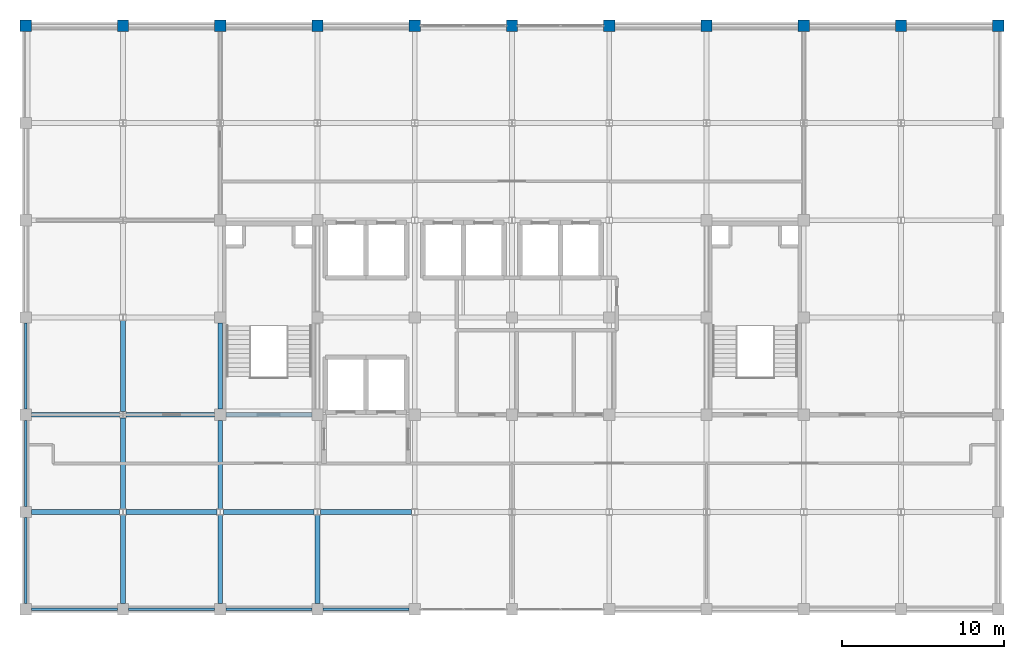
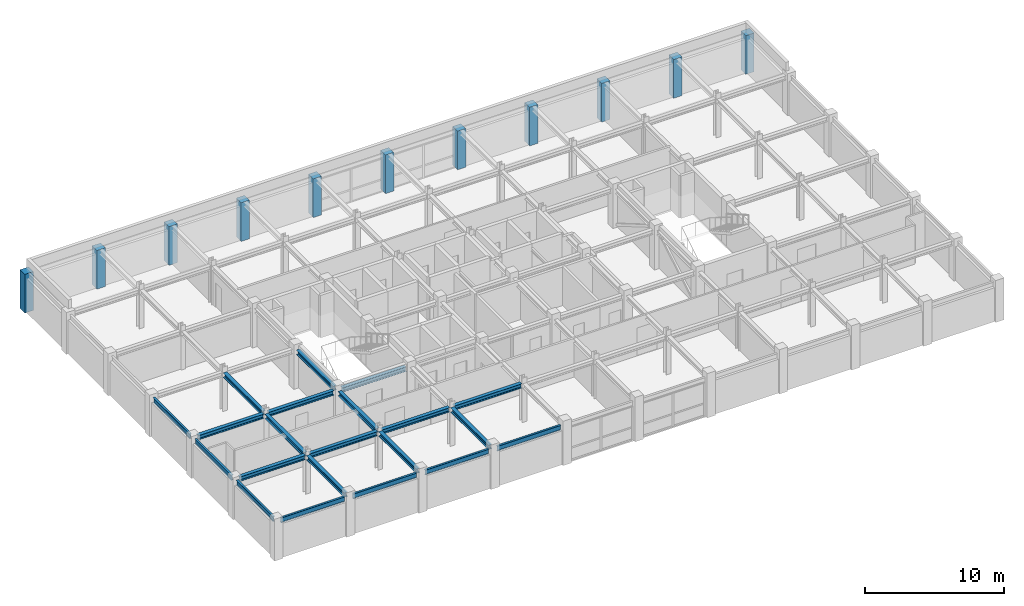
# One storey, part 3 of 12: 21 beams, 11 columns.
"""IFC4 building model written with IfcOpenShell, lengths in metres."""

from ifc_helpers import new_model, si_unit, direction, frame, origin, origin_2d, place, context, subcontext, project, spatial, rectangle, i_section, extrude, material, material_profile, profile_set, type_object, element, save


model = new_model("IFC4")

# Units and contexts
model_context = context("Model", 3, precision=1e-05, world=origin(), true_north=direction((0.0, 1.0)))
body_context = subcontext(model_context, "Body", "Model", "MODEL_VIEW")
ifc_project = project(units=[si_unit("LENGTHUNIT", "METRE"), si_unit("AREAUNIT", "SQUARE_METRE"), si_unit("VOLUMEUNIT", "CUBIC_METRE"), si_unit("PLANEANGLEUNIT", "RADIAN"), si_unit("MASSUNIT", "GRAM", prefix="KILO")], contexts=[model_context])

# Site, building, storey
site_placement = place(None, origin())
site = spatial("IfcSite", under=ifc_project, at=site_placement, CompositionType="ELEMENT")
building_placement = place(site_placement, origin())
building = spatial("IfcBuilding", under=site, at=building_placement, Name="Zlatovratsky Civic Hall", CompositionType="ELEMENT")
storey_placement = place(building_placement, frame((0.0, 0.0, 32.699951171875)))
storey = spatial("IfcBuildingStorey", under=building, at=storey_placement, Name="L08", CompositionType="ELEMENT", Elevation=32.699951171875)

# Columns
ifc_material_1 = material(Name="Concrete C35/45 (B40)", Category="concrete")
ifc_material_profile_1 = material_profile(ifc_material_1, rectangle(XDim=0.699951171875, YDim=0.699951171875, at=origin_2d()), Name="RC 700x700")
ifc_profile_set_1 = profile_set([ifc_material_profile_1], Name="Concrete C35/45 (B40)")
column_type = type_object("IfcColumnType", Name="Col_CorePier_RC700", PredefinedType="COLUMN", material=ifc_profile_set_1)
for number, where, z_axis, x_axis, name in (
    (1, (54.0, 108.0, 0.0), (0.0, 0.0, 1.0), (1.0, 0.0, 0.0), "CL-2238"),
    (2, (60.0, 108.0, 0.0), (0.0, 0.0, 1.0), (1.0, 0.0, 0.0), "CL-2239"),
    (3, (66.0, 108.0, 0.0), (0.0, 0.0, 1.0), (1.0, 0.0, 0.0), "CL-2240"),
    (4, (72.0, 108.0, 0.0), (0.0, 0.0, 1.0), (1.0, 0.0, 0.0), "CL-2241"),
    (5, (78.0, 108.0, 0.0), (0.0, 0.0, 1.0), (1.0, 0.0, 0.0), "CL-2242"),
    (6, (84.0, 108.0, 0.0), (0.0, 0.0, 1.0), (1.0, 0.0, 0.0), "CL-2243"),
    (7, (90.0, 108.0, 0.0), (0.0, 0.0, 1.0), (1.0, 0.0, 0.0), "CL-2244"),
    (8, (96.0, 108.0, 0.0), (0.0, 0.0, 1.0), (1.0, 0.0, 0.0), "CL-2245"),
    (9, (102.0, 108.0, 0.0), (0.0, 0.0, 1.0), (1.0, 0.0, 0.0), "CL-2246"),
    (10, (108.0, 108.0, 0.0), (0.0, 0.0, 1.0), (1.0, 0.0, 0.0), "CL-2247"),
    (11, (114.0, 108.0, 0.0), (0.0, 0.0, 1.0), (1.0, 0.0, 0.0), "CL-2248"),
):
    element("IfcColumn", number, at=place(storey_placement, frame(where, z_axis=z_axis, x_axis=x_axis)), inside=storey, type_object=column_type, Name=name, PredefinedType="COLUMN", context=body_context, shape_type="SweptSolid", body=[
        extrude(rectangle(XDim=0.699951171875, YDim=0.699951171875, at=origin_2d()), origin(), (0.0, 0.0, 1.0), 3.400146484375),
    ])

# Beams
ifc_material_2 = material(Name="Steel S355", Category="steel")
ifc_material_profile_2 = material_profile(ifc_material_2, i_section(OverallWidth=0.169921875, OverallDepth=0.446044921875, WebThickness=0.007568359375, FlangeThickness=0.010986328125, FilletRadius=0.01611328125, at=origin_2d()), Name="45B1")
ifc_profile_set_2 = profile_set([ifc_material_profile_2], Name="Steel S355")
beam_type_1 = type_object("IfcBeamType", Name="Beam_Spandrel_45B1", PredefinedType="SPANDREL", material=ifc_profile_set_2)
for number, where, z_axis, x_axis, name in (
    (12, (54.35009765625, 72.0, 3.177001953125), (1.0, 0.0, 0.0), (0.0, 1.0, 0.0), "BM-4381"),
    (13, (60.35009765625, 72.0, 3.177001953125), (1.0, 0.0, 0.0), (0.0, 1.0, 0.0), "BM-4382"),
    (14, (66.35009765625, 72.0, 3.177001953125), (1.0, 0.0, 0.0), (0.0, 1.0, 0.0), "BM-4383"),
    (15, (72.35009765625, 72.0, 3.177001953125), (1.0, 0.0, 0.0), (0.0, 1.0, 0.0), "BM-4384"),
    (16, (54.0, 72.35009765625, 3.177001953125), (0.0, 1.0, 0.0), (-1.0, 0.0, 0.0), "BM-4449"),
    (17, (54.0, 78.35009765625, 3.177001953125), (0.0, 1.0, 0.0), (-1.0, 0.0, 0.0), "BM-4450"),
    (18, (54.0, 84.35009765625, 3.177001953125), (0.0, 1.0, 0.0), (-1.0, 0.0, 0.0), "BM-4451"),
):
    element("IfcBeam", number, at=place(storey_placement, frame(where, z_axis=z_axis, x_axis=x_axis)), inside=storey, type_object=beam_type_1, Name=name, PredefinedType="SPANDREL", context=body_context, shape_type="SweptSolid", body=[
        extrude(i_section(OverallWidth=0.169921875, OverallDepth=0.446044921875, WebThickness=0.007568359375, FlangeThickness=0.010986328125, FilletRadius=0.01611328125, at=origin_2d()), origin(), (0.0, 0.0, 1.0), 5.2998046875),
    ])
ifc_material_profile_3 = material_profile(ifc_material_2, i_section(OverallWidth=0.300048828125, OverallDepth=0.387939453125, WebThickness=0.009521484375, FlangeThickness=0.013916015625, FilletRadius=0.02197265625, at=origin_2d()), Name="40Sh1")
ifc_profile_set_3 = profile_set([ifc_material_profile_3], Name="Steel S355")
beam_type_2 = type_object("IfcBeamType", Name="Beam_TowerMid_40Sh1", PredefinedType="BEAM", material=ifc_profile_set_3)
beam_1_placement = place(storey_placement, frame((54.35009765625, 78.0, 3.2060546875), z_axis=(1.0, 0.0, 0.0), x_axis=(0.0, 1.0, 0.0)))
element("IfcBeam", 19, at=beam_1_placement, inside=storey, type_object=beam_type_2, Name="BM-4391", PredefinedType="BEAM", context=body_context, shape_type="SweptSolid", body=[
    extrude(i_section(OverallWidth=0.300048828125, OverallDepth=0.387939453125, WebThickness=0.009521484375, FlangeThickness=0.013916015625, FilletRadius=0.02197265625, at=origin_2d()), origin(), (0.0, 0.0, 1.0), 5.450927734375),
])
for number, where, z_axis, x_axis, name in (
    (20, (60.198974609375, 78.0, 3.2060546875), (1.0, 0.0, 0.0), (0.0, 1.0, 0.0), "BM-4392"),
    (21, (66.198974609375, 78.0, 3.2060546875), (1.0, 0.0, 0.0), (0.0, 1.0, 0.0), "BM-4393"),
    (22, (72.198974609375, 78.0, 3.2060546875), (1.0, 0.0, 0.0), (0.0, 1.0, 0.0), "BM-4394"),
):
    element("IfcBeam", number, at=place(storey_placement, frame(where, z_axis=z_axis, x_axis=x_axis)), inside=storey, type_object=beam_type_2, Name=name, PredefinedType="BEAM", context=body_context, shape_type="SweptSolid", body=[
        extrude(i_section(OverallWidth=0.300048828125, OverallDepth=0.387939453125, WebThickness=0.009521484375, FlangeThickness=0.013916015625, FilletRadius=0.02197265625, at=origin_2d()), origin(), (0.0, 0.0, 1.0), 5.60205078125),
    ])
for number, where, z_axis, x_axis, name in (
    (23, (54.35009765625, 84.0, 3.2060546875), (1.0, 0.0, 0.0), (0.0, 1.0, 0.0), "BM-4401"),
    (24, (60.198974609375, 84.0, 3.2060546875), (1.0, 0.0, 0.0), (0.0, 1.0, 0.0), "BM-4402"),
):
    element("IfcBeam", number, at=place(storey_placement, frame(where, z_axis=z_axis, x_axis=x_axis)), inside=storey, type_object=beam_type_2, Name=name, PredefinedType="BEAM", context=body_context, shape_type="SweptSolid", body=[
        extrude(i_section(OverallWidth=0.300048828125, OverallDepth=0.387939453125, WebThickness=0.009521484375, FlangeThickness=0.013916015625, FilletRadius=0.02197265625, at=origin_2d()), origin(), (0.0, 0.0, 1.0), 5.450927734375),
    ])
beam_2_placement = place(storey_placement, frame((66.35009765625, 84.0, 3.2060546875), z_axis=(1.0, 0.0, 0.0), x_axis=(0.0, 1.0, 0.0)))
element("IfcBeam", 25, at=beam_2_placement, inside=storey, type_object=beam_type_2, Name="BM-4403", PredefinedType="BEAM", context=body_context, shape_type="SweptSolid", body=[
    extrude(i_section(OverallWidth=0.300048828125, OverallDepth=0.387939453125, WebThickness=0.009521484375, FlangeThickness=0.013916015625, FilletRadius=0.02197265625, at=origin_2d()), origin(), (0.0, 0.0, 1.0), 5.2998046875),
])
beam_3_placement = place(storey_placement, frame((60.0, 72.35009765625, 3.2060546875), z_axis=(0.0, 1.0, 0.0), x_axis=(-1.0, 0.0, 0.0)))
element("IfcBeam", 26, at=beam_3_placement, inside=storey, type_object=beam_type_2, Name="BM-4455", PredefinedType="BEAM", context=body_context, shape_type="SweptSolid", body=[
    extrude(i_section(OverallWidth=0.300048828125, OverallDepth=0.387939453125, WebThickness=0.009521484375, FlangeThickness=0.013916015625, FilletRadius=0.02197265625, at=origin_2d()), origin(), (0.0, 0.0, 1.0), 5.452880859375),
])
for number, where, z_axis, x_axis, name in (
    (27, (60.0, 78.197021484375, 3.2060546875), (0.0, 1.0, 0.0), (-1.0, 0.0, 0.0), "BM-4456"),
    (28, (60.0, 84.197021484375, 3.2060546875), (0.0, 1.0, 0.0), (-1.0, 0.0, 0.0), "BM-4457"),
):
    element("IfcBeam", number, at=place(storey_placement, frame(where, z_axis=z_axis, x_axis=x_axis)), inside=storey, type_object=beam_type_2, Name=name, PredefinedType="BEAM", context=body_context, shape_type="SweptSolid", body=[
        extrude(i_section(OverallWidth=0.300048828125, OverallDepth=0.387939453125, WebThickness=0.009521484375, FlangeThickness=0.013916015625, FilletRadius=0.02197265625, at=origin_2d()), origin(), (0.0, 0.0, 1.0), 5.60595703125),
    ])
for number, where, z_axis, x_axis, name in (
    (29, (66.0, 72.35009765625, 3.2060546875), (0.0, 1.0, 0.0), (-1.0, 0.0, 0.0), "BM-4461"),
    (30, (66.0, 78.197021484375, 3.2060546875), (0.0, 1.0, 0.0), (-1.0, 0.0, 0.0), "BM-4462"),
):
    element("IfcBeam", number, at=place(storey_placement, frame(where, z_axis=z_axis, x_axis=x_axis)), inside=storey, type_object=beam_type_2, Name=name, PredefinedType="BEAM", context=body_context, shape_type="SweptSolid", body=[
        extrude(i_section(OverallWidth=0.300048828125, OverallDepth=0.387939453125, WebThickness=0.009521484375, FlangeThickness=0.013916015625, FilletRadius=0.02197265625, at=origin_2d()), origin(), (0.0, 0.0, 1.0), 5.452880859375),
    ])
beam_4_placement = place(storey_placement, frame((66.0, 84.35009765625, 3.2060546875), z_axis=(0.0, 1.0, 0.0), x_axis=(-1.0, 0.0, 0.0)))
element("IfcBeam", 31, at=beam_4_placement, inside=storey, type_object=beam_type_2, Name="BM-4463", PredefinedType="BEAM", context=body_context, shape_type="SweptSolid", body=[
    extrude(i_section(OverallWidth=0.300048828125, OverallDepth=0.387939453125, WebThickness=0.009521484375, FlangeThickness=0.013916015625, FilletRadius=0.02197265625, at=origin_2d()), origin(), (0.0, 0.0, 1.0), 5.2998046875),
])
beam_5_placement = place(storey_placement, frame((72.0, 72.35009765625, 3.2060546875), z_axis=(0.0, 1.0, 0.0), x_axis=(-1.0, 0.0, 0.0)))
element("IfcBeam", 32, at=beam_5_placement, inside=storey, type_object=beam_type_2, Name="BM-4467", PredefinedType="BEAM", context=body_context, shape_type="SweptSolid", body=[
    extrude(i_section(OverallWidth=0.300048828125, OverallDepth=0.387939453125, WebThickness=0.009521484375, FlangeThickness=0.013916015625, FilletRadius=0.02197265625, at=origin_2d()), origin(), (0.0, 0.0, 1.0), 5.452880859375),
])

save(model, "model.ifc")
